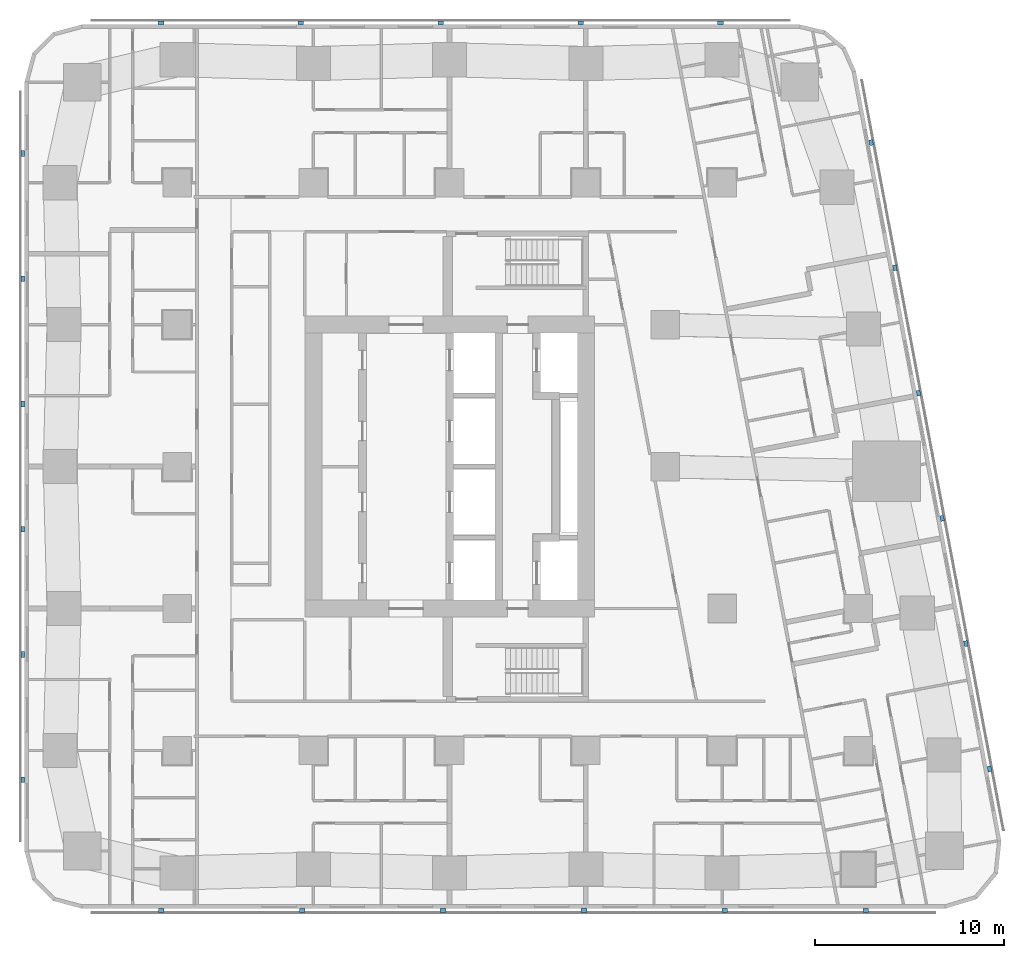
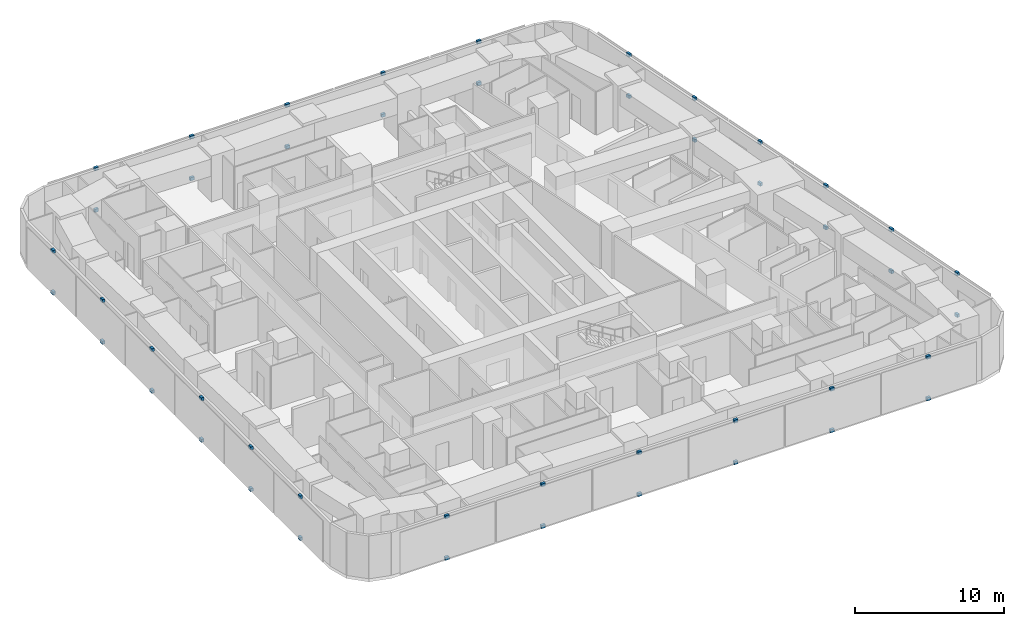
# One storey, part 12 of 15: 46 discrete accessories.
"""IFC4 building model written with IfcOpenShell, lengths in metres."""

from ifc_helpers import new_model, si_unit, direction, frame, origin, origin_2d, place, context, subcontext, project, spatial, rectangle, extrude, material, type_object, element, save


model = new_model("IFC4")

# Units and contexts
model_context = context("Model", 3, precision=1e-05, world=origin(), true_north=direction((0.0, 1.0)))
body_context = subcontext(model_context, "Body", "Model", "MODEL_VIEW")
ifc_project = project(units=[si_unit("LENGTHUNIT", "METRE"), si_unit("AREAUNIT", "SQUARE_METRE"), si_unit("VOLUMEUNIT", "CUBIC_METRE"), si_unit("PLANEANGLEUNIT", "RADIAN"), si_unit("MASSUNIT", "GRAM", prefix="KILO")], contexts=[model_context])

# Site, building, storey
site_placement = place(None, origin())
site = spatial("IfcSite", under=ifc_project, at=site_placement, CompositionType="ELEMENT")
building_placement = place(site_placement, origin())
building = spatial("IfcBuilding", under=site, at=building_placement, Name="Sheger Commons Tower", CompositionType="ELEMENT")
storey_placement = place(building_placement, frame((0.0, 0.0, 177.050048828125)))
storey = spatial("IfcBuildingStorey", under=building, at=storey_placement, Name="L45", CompositionType="ELEMENT", Elevation=177.050048828125)

# Discrete accessories
ifc_material = material(Name="Black painted steel bracket", Category="steel")
discrete_accessory_type = type_object("IfcDiscreteAccessoryType", Name="SCREEN BRACKET 300x200x250", PredefinedType="BRACKET", material=ifc_material)
for number, where, z_axis, x_axis, name in (
    (1, (6.37109375, -0.949951171875, -0.10009765625), (0.0, 0.0, 1.0), (1.0, 0.0, 0.0), "Solar screen foot bracket"),
    (2, (6.37109375, -0.949951171875, 3.300048828125), (0.0, 0.0, 1.0), (1.0, 0.0, 0.0), "Solar screen head bracket"),
    (3, (13.81396484375, -0.949951171875, -0.10009765625), (0.0, 0.0, 1.0), (1.0, 0.0, 0.0), "Solar screen foot bracket"),
    (4, (13.81396484375, -0.949951171875, 3.300048828125), (0.0, 0.0, 1.0), (1.0, 0.0, 0.0), "Solar screen head bracket"),
    (5, (21.257080078125, -0.949951171875, -0.10009765625), (0.0, 0.0, 1.0), (1.0, 0.0, 0.0), "Solar screen foot bracket"),
    (6, (21.257080078125, -0.949951171875, 3.300048828125), (0.0, 0.0, 1.0), (1.0, 0.0, 0.0), "Solar screen head bracket"),
    (7, (28.698974609375, -0.949951171875, -0.10009765625), (0.0, 0.0, 1.0), (1.0, 0.0, 0.0), "Solar screen foot bracket"),
    (8, (28.698974609375, -0.949951171875, 3.300048828125), (0.0, 0.0, 1.0), (1.0, 0.0, 0.0), "Solar screen head bracket"),
    (9, (36.14208984375, -0.949951171875, -0.10009765625), (0.0, 0.0, 1.0), (1.0, 0.0, 0.0), "Solar screen foot bracket"),
    (10, (36.14208984375, -0.949951171875, 3.300048828125), (0.0, 0.0, 1.0), (1.0, 0.0, 0.0), "Solar screen head bracket"),
    (11, (43.5849609375, -0.949951171875, -0.10009765625), (0.0, 0.0, 1.0), (1.0, 0.0, 0.0), "Solar screen foot bracket"),
    (12, (43.5849609375, -0.949951171875, 3.300048828125), (0.0, 0.0, 1.0), (1.0, 0.0, 0.0), "Solar screen head bracket"),
    (13, (50.134033203125, 6.527099609375, -0.10009765625), (0.0, 0.0, 1.0), (-0.185615165645, 0.982622516678, 0.0), "Solar screen foot bracket"),
    (14, (50.134033203125, 6.527099609375, 3.300048828125), (0.0, 0.0, 1.0), (-0.185615165645, 0.982622516678, 0.0), "Solar screen head bracket"),
    (15, (48.884033203125, 13.14599609375, -0.10009765625), (0.0, 0.0, 1.0), (-0.185615165645, 0.982622516678, 0.0), "Solar screen foot bracket"),
    (16, (48.884033203125, 13.14599609375, 3.300048828125), (0.0, 0.0, 1.0), (-0.185615165645, 0.982622516678, 0.0), "Solar screen head bracket"),
    (17, (47.633056640625, 19.76611328125, -0.10009765625), (0.0, 0.0, 1.0), (-0.185615165645, 0.982622516678, 0.0), "Solar screen foot bracket"),
    (18, (47.633056640625, 19.76611328125, 3.300048828125), (0.0, 0.0, 1.0), (-0.185615165645, 0.982622516678, 0.0), "Solar screen head bracket"),
    (19, (46.383056640625, 26.385009765625, -0.10009765625), (0.0, 0.0, 1.0), (-0.185615165645, 0.982622516678, 0.0), "Solar screen foot bracket"),
    (20, (46.383056640625, 26.385009765625, 3.300048828125), (0.0, 0.0, 1.0), (-0.185615165645, 0.982622516678, 0.0), "Solar screen head bracket"),
    (21, (45.133056640625, 33.0048828125, -0.10009765625), (0.0, 0.0, 1.0), (-0.185615165645, 0.982622516678, 0.0), "Solar screen foot bracket"),
    (22, (45.133056640625, 33.0048828125, 3.300048828125), (0.0, 0.0, 1.0), (-0.185615165645, 0.982622516678, 0.0), "Solar screen head bracket"),
    (23, (43.882080078125, 39.6240234375, -0.10009765625), (0.0, 0.0, 1.0), (-0.185615165645, 0.982622516678, 0.0), "Solar screen foot bracket"),
    (24, (43.882080078125, 39.6240234375, 3.300048828125), (0.0, 0.0, 1.0), (-0.185615165645, 0.982622516678, 0.0), "Solar screen head bracket"),
    (25, (35.9208984375, 45.949951171875, -0.10009765625), (0.0, 0.0, 1.0), (-1.0, 0.0, 0.0), "Solar screen foot bracket"),
    (26, (35.9208984375, 45.949951171875, 3.300048828125), (0.0, 0.0, 1.0), (-1.0, 0.0, 0.0), "Solar screen head bracket"),
    (27, (28.528076171875, 45.949951171875, -0.10009765625), (0.0, 0.0, 1.0), (-1.0, 0.0, 0.0), "Solar screen foot bracket"),
    (28, (28.528076171875, 45.949951171875, 3.300048828125), (0.0, 0.0, 1.0), (-1.0, 0.0, 0.0), "Solar screen head bracket"),
    (29, (21.134033203125, 45.949951171875, -0.10009765625), (0.0, 0.0, 1.0), (-1.0, 0.0, 0.0), "Solar screen foot bracket"),
    (30, (21.134033203125, 45.949951171875, 3.300048828125), (0.0, 0.0, 1.0), (-1.0, 0.0, 0.0), "Solar screen head bracket"),
    (31, (13.739990234375, 45.949951171875, -0.10009765625), (0.0, 0.0, 1.0), (-1.0, 0.0, 0.0), "Solar screen foot bracket"),
    (32, (13.739990234375, 45.949951171875, 3.300048828125), (0.0, 0.0, 1.0), (-1.0, 0.0, 0.0), "Solar screen head bracket"),
    (33, (6.346923828125, 45.949951171875, -0.10009765625), (0.0, 0.0, 1.0), (-1.0, 0.0, 0.0), "Solar screen foot bracket"),
    (34, (6.346923828125, 45.949951171875, 3.300048828125), (0.0, 0.0, 1.0), (-1.0, 0.0, 0.0), "Solar screen head bracket"),
    (35, (-0.949951171875, 39.0419921875, -0.10009765625), (0.0, 0.0, 1.0), (0.0, -1.0, 0.0), "Solar screen foot bracket"),
    (36, (-0.949951171875, 39.0419921875, 3.300048828125), (0.0, 0.0, 1.0), (0.0, -1.0, 0.0), "Solar screen head bracket"),
    (37, (-0.949951171875, 32.425048828125, -0.10009765625), (0.0, 0.0, 1.0), (0.0, -1.0, 0.0), "Solar screen foot bracket"),
    (38, (-0.949951171875, 32.425048828125, 3.300048828125), (0.0, 0.0, 1.0), (0.0, -1.0, 0.0), "Solar screen head bracket"),
    (39, (-0.949951171875, 25.80810546875, -0.10009765625), (0.0, 0.0, 1.0), (0.0, -1.0, 0.0), "Solar screen foot bracket"),
    (40, (-0.949951171875, 25.80810546875, 3.300048828125), (0.0, 0.0, 1.0), (0.0, -1.0, 0.0), "Solar screen head bracket"),
    (41, (-0.949951171875, 19.19189453125, -0.10009765625), (0.0, 0.0, 1.0), (0.0, -1.0, 0.0), "Solar screen foot bracket"),
    (42, (-0.949951171875, 19.19189453125, 3.300048828125), (0.0, 0.0, 1.0), (0.0, -1.0, 0.0), "Solar screen head bracket"),
    (43, (-0.949951171875, 12.574951171875, -0.10009765625), (0.0, 0.0, 1.0), (0.0, -1.0, 0.0), "Solar screen foot bracket"),
    (44, (-0.949951171875, 12.574951171875, 3.300048828125), (0.0, 0.0, 1.0), (0.0, -1.0, 0.0), "Solar screen head bracket"),
    (45, (-0.949951171875, 5.9580078125, -0.10009765625), (0.0, 0.0, 1.0), (0.0, -1.0, 0.0), "Solar screen foot bracket"),
    (46, (-0.949951171875, 5.9580078125, 3.300048828125), (0.0, 0.0, 1.0), (0.0, -1.0, 0.0), "Solar screen head bracket"),
):
    element("IfcDiscreteAccessory", number, at=place(storey_placement, frame(where, z_axis=z_axis, x_axis=x_axis)), inside=storey, type_object=discrete_accessory_type, Name=name, PredefinedType="BRACKET", context=body_context, shape_type="SweptSolid", body=[
        extrude(rectangle(XDim=0.300048828125, YDim=0.199951171875, at=origin_2d()), origin(), (0.0, 0.0, 1.0), 0.25),
    ])

save(model, "model.ifc")
